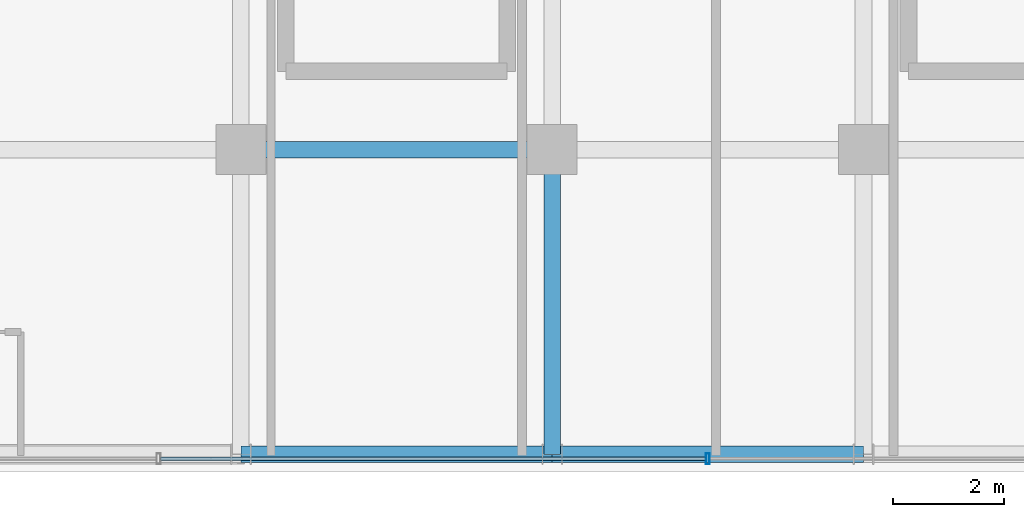
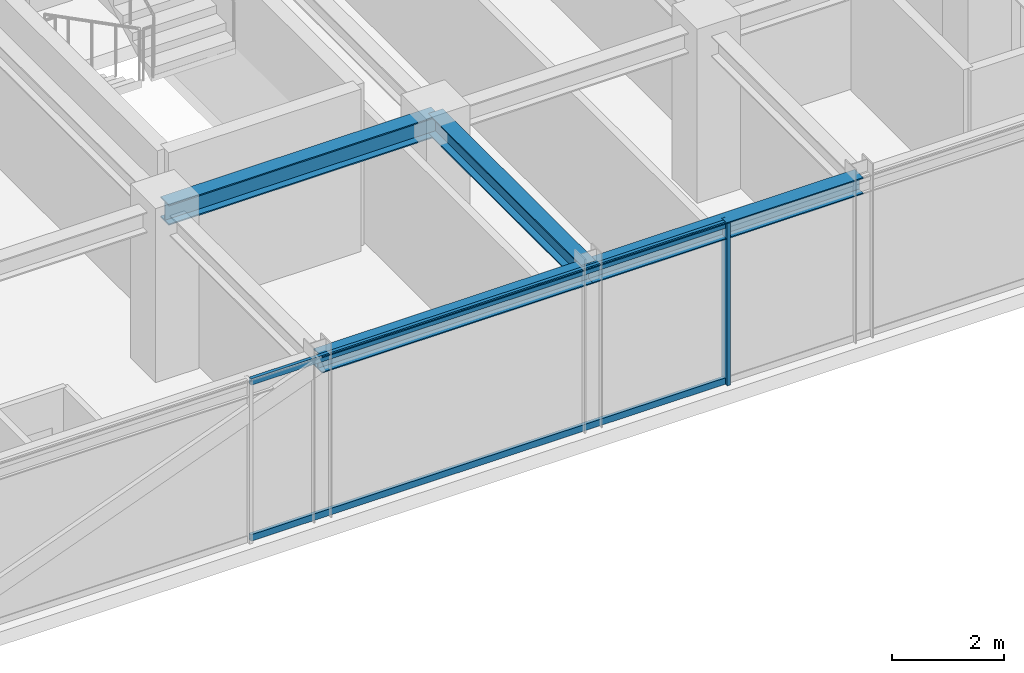
# One storey, part 8 of 40: 4 beams, 3 members, 1 element without a shape of its own.
"""IFC4 building model written with IfcOpenShell, lengths in metres."""

from ifc_helpers import new_model, si_unit, direction, frame, origin, origin_2d, place, context, subcontext, project, spatial, hollow_rectangle, i_section, extrude, source, transform, mapped, material, material_profile, profile_set, type_object, element, aggregate, save


model = new_model("IFC4")

# Units and contexts
model_context = context("Model", 3, precision=1e-05, world=origin(), true_north=direction((0.0, 1.0)))
body_context = subcontext(model_context, "Body", "Model", "MODEL_VIEW")
ifc_project = project(units=[si_unit("LENGTHUNIT", "METRE"), si_unit("AREAUNIT", "SQUARE_METRE"), si_unit("VOLUMEUNIT", "CUBIC_METRE"), si_unit("PLANEANGLEUNIT", "RADIAN"), si_unit("MASSUNIT", "GRAM", prefix="KILO")], contexts=[model_context])

# Site, building, storey
site_placement = place(None, origin())
site = spatial("IfcSite", under=ifc_project, at=site_placement, CompositionType="ELEMENT")
building_placement = place(site_placement, origin())
building = spatial("IfcBuilding", under=site, at=building_placement, Name="Nahalor Promenade Grand Hotel", CompositionType="ELEMENT")
storey_placement = place(building_placement, frame((0.0, 0.0, 288.800048828125)))
storey = spatial("IfcBuildingStorey", under=building, at=storey_placement, Name="L74", CompositionType="ELEMENT", Elevation=288.800048828125)

# Beams
ifc_material_1 = material(Name="Steel S355JR", Category="steel")
ifc_material_profile_1 = material_profile(ifc_material_1, i_section(OverallWidth=0.3, OverallDepth=0.45, WebThickness=0.014, FlangeThickness=0.026, at=origin_2d()), Name="HEB 450")
ifc_profile_set_1 = profile_set([ifc_material_profile_1], Name="Steel S355JR")
beam_type_1 = type_object("IfcBeamType", Name="Beam-Girder-HEB450", PredefinedType="BEAM", material=ifc_profile_set_1)
shared_shape_1 = source(origin(), body_context, "Body", "SweptSolid", [
    extrude(i_section(OverallWidth=0.3, OverallDepth=0.45, WebThickness=0.014, FlangeThickness=0.026, at=origin_2d()), origin(), (0.0, 0.0, 1.0), 5.599853515625),
])
beam_1_placement = place(storey_placement, frame((-8.39990234375, -17.0, 3.324951171875), z_axis=(1.0, 0.0, 0.0), x_axis=(0.0, 1.0, 0.0)))
element("IfcBeam", 1, at=beam_1_placement, inside=storey, type_object=beam_type_1, Name="BM-L74-GX-0-2", PredefinedType="BEAM", context=body_context, shape_type="MappedRepresentation", body=[
    mapped(shared_shape_1, transform((0.0, 0.0, 0.0), scale=1.0)),
])
shared_shape_2 = source(origin(), body_context, "Body", "SweptSolid", [
    extrude(i_section(OverallWidth=0.3, OverallDepth=0.45, WebThickness=0.014, FlangeThickness=0.026, at=origin_2d()), origin(), (0.0, 0.0, 1.0), 5.47998046875),
])
beam_2_placement = place(storey_placement, frame((-2.800048828125, -22.47998046875, 3.324951171875), z_axis=(0.0, 1.0, 0.0), x_axis=(-1.0, 0.0, 0.0)))
element("IfcBeam", 2, at=beam_2_placement, inside=storey, type_object=beam_type_1, Name="BM-L74-GY-2-0", PredefinedType="BEAM", context=body_context, shape_type="MappedRepresentation", body=[
    mapped(shared_shape_2, transform((0.0, 0.0, 0.0), scale=1.0)),
])
ifc_material_profile_2 = material_profile(ifc_material_1, i_section(OverallWidth=0.3, OverallDepth=0.36, WebThickness=0.0125, FlangeThickness=0.0225, at=origin_2d()), Name="HEB 360")
ifc_profile_set_2 = profile_set([ifc_material_profile_2], Name="Steel S355JR")
beam_type_2 = type_object("IfcBeamType", Name="Beam-Spandrel-HEB360", PredefinedType="SPANDREL", material=ifc_profile_set_2)
shared_shape_3 = source(origin(), body_context, "Body", "SweptSolid", [
    extrude(i_section(OverallWidth=0.3, OverallDepth=0.36, WebThickness=0.0125, FlangeThickness=0.0225, at=origin_2d()), origin(), (0.0, 0.0, 1.0), 5.599853515625),
])
beam_3_placement = place(storey_placement, frame((-8.39990234375, -22.47998046875, 3.369873046875), z_axis=(1.0, 0.0, 0.0), x_axis=(0.0, 1.0, 0.0)))
element("IfcBeam", 3, at=beam_3_placement, inside=storey, type_object=beam_type_2, Name="BM-L74-SP-S-1", PredefinedType="SPANDREL", context=body_context, shape_type="MappedRepresentation", body=[
    mapped(shared_shape_3, transform((0.0, 0.0, 0.0), scale=1.0)),
])
shared_shape_4 = source(origin(), body_context, "Body", "SweptSolid", [
    extrude(i_section(OverallWidth=0.3, OverallDepth=0.36, WebThickness=0.0125, FlangeThickness=0.0225, at=origin_2d()), origin(), (0.0, 0.0, 1.0), 5.60009765625),
])
beam_4_placement = place(storey_placement, frame((-2.800048828125, -22.47998046875, 3.369873046875), z_axis=(1.0, 0.0, 0.0), x_axis=(0.0, 1.0, 0.0)))
element("IfcBeam", 4, at=beam_4_placement, inside=storey, type_object=beam_type_2, Name="BM-L74-SP-S-2", PredefinedType="SPANDREL", context=body_context, shape_type="MappedRepresentation", body=[
    mapped(shared_shape_4, transform((0.0, 0.0, 0.0), scale=1.0)),
])

# Curtain wall, members
ifc_material_2 = material(Name="Anodised Bronze Aluminium EN AW-6063 T6", Category="aluminium")
curtain_wall_type = type_object("IfcCurtainWallType", Name="CW3 Elliptical-Void Collar Unitised Curtain Wall", PredefinedType="USERDEFINED", material=ifc_material_2)
curtain_wall_placement = place(storey_placement, origin())
curtain_wall = element("IfcCurtainWall", 5, at=curtain_wall_placement, inside=storey, type_object=curtain_wall_type, Name="L74 Curtain Wall CW-L74-S-1", ObjectType="UNITISED_CURTAIN_WALL", PredefinedType="USERDEFINED")
ifc_material_profile_3 = material_profile(ifc_material_2, hollow_rectangle(XDim=0.07, YDim=0.14, WallThickness=0.004, at=origin_2d()), Name="CWT 70x140x4")
ifc_profile_set_3 = profile_set([ifc_material_profile_3], Name="Anodised Bronze Aluminium EN AW-6063 T6")
member_type_1 = type_object("IfcMemberType", Name="CWT3 Void Collar Transom 70x140", PredefinedType="USERDEFINED", material=ifc_profile_set_3)
shared_shape_5 = source(origin(), body_context, "Body", "SweptSolid", [
    extrude(hollow_rectangle(XDim=0.07, YDim=0.14, WallThickness=0.004, at=origin_2d()), origin(), (0.0, 0.0, 1.0), 9.81005859375),
])
member_1_placement = place(storey_placement, frame((-9.844970703125, -22.56005859375, 0.070068359375), z_axis=(1.0, 0.0, 0.0), x_axis=(0.0, 1.0, 0.0)))
member_1 = element("IfcMember", 6, at=member_1_placement, type_object=member_type_1, Name="CW-L74-S-1 Transom 1-0", ObjectType="TRANSOM", PredefinedType="USERDEFINED", context=body_context, shape_type="MappedRepresentation", body=[
    mapped(shared_shape_5, transform((0.0, 0.0, 0.0), scale=1.0)),
])
member_2_placement = place(storey_placement, frame((-9.844970703125, -22.56005859375, 3.47998046875), z_axis=(1.0, 0.0, 0.0), x_axis=(0.0, 1.0, 0.0)))
member_2 = element("IfcMember", 7, at=member_2_placement, type_object=member_type_1, Name="CW-L74-S-1 Transom 1-1", ObjectType="TRANSOM", PredefinedType="USERDEFINED", context=body_context, shape_type="MappedRepresentation", body=[
    mapped(shared_shape_5, transform((0.0, 0.0, 0.0), scale=1.0)),
])
ifc_material_profile_4 = material_profile(ifc_material_2, hollow_rectangle(XDim=0.07, YDim=0.2, WallThickness=0.005, at=origin_2d()), Name="CWM 70x200x5")
ifc_profile_set_4 = profile_set([ifc_material_profile_4], Name="Anodised Bronze Aluminium EN AW-6063 T6")
member_type_2 = type_object("IfcMemberType", Name="CWM3 Void Collar Mullion 70x200", PredefinedType="MULLION", material=ifc_profile_set_4)
shared_shape_6 = source(origin(), body_context, "Body", "SweptSolid", [
    extrude(hollow_rectangle(XDim=0.07, YDim=0.2, WallThickness=0.005, at=origin_2d()), origin(), (0.0, 0.0, 1.0), 3.550048828125),
])
member_3_placement = place(storey_placement, frame((0.0, -22.56005859375, 0.0), z_axis=(0.0, 0.0, 1.0), x_axis=(1.0, 0.0, 0.0)))
member_3 = element("IfcMember", 8, at=member_3_placement, type_object=member_type_2, Name="CW-L74-S-1 Mullion 2", PredefinedType="MULLION", context=body_context, shape_type="MappedRepresentation", body=[
    mapped(shared_shape_6, transform((0.0, 0.0, 0.0), scale=1.0)),
])
aggregate(curtain_wall, [member_3, member_1, member_2])

save(model, "model.ifc")
